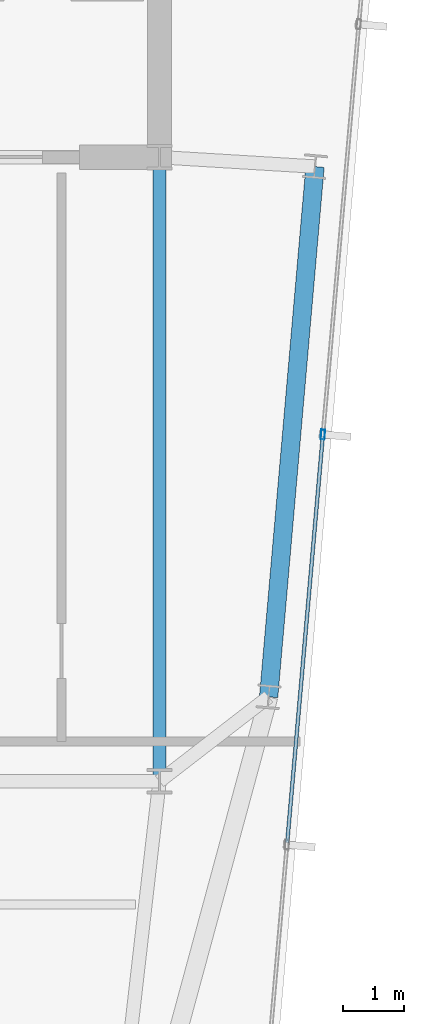
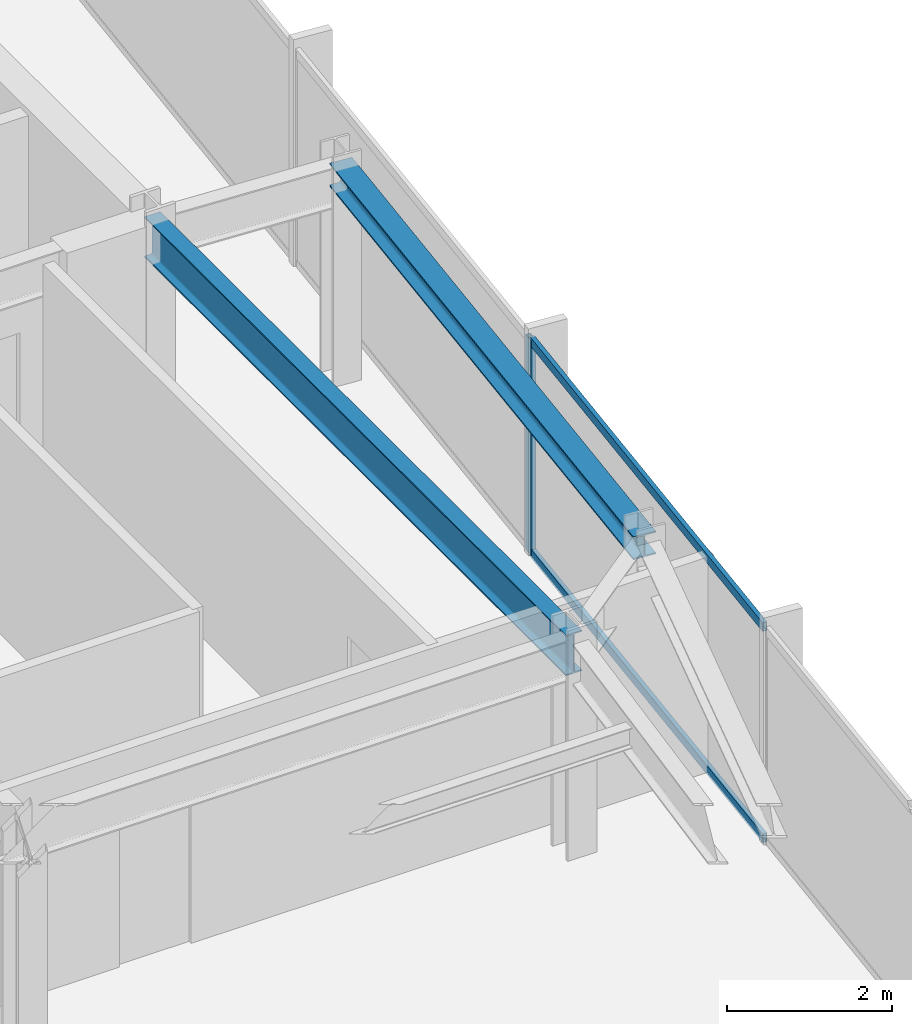
# One storey, part 17 of 32: 3 members, 2 beams, 1 element without a shape of its own.
"""IFC4 building model written with IfcOpenShell, lengths in metres."""

from ifc_helpers import new_model, si_unit, direction, frame, origin, origin_2d, place, context, subcontext, project, spatial, hollow_rectangle, i_section, extrude, material, material_profile, profile_set, type_object, element, aggregate, save


model = new_model("IFC4")

# Units and contexts
model_context = context("Model", 3, precision=1e-05, world=origin(), true_north=direction((0.0, 1.0)))
body_context = subcontext(model_context, "Body", "Model", "MODEL_VIEW")
ifc_project = project(units=[si_unit("LENGTHUNIT", "METRE"), si_unit("AREAUNIT", "SQUARE_METRE"), si_unit("VOLUMEUNIT", "CUBIC_METRE"), si_unit("PLANEANGLEUNIT", "RADIAN"), si_unit("MASSUNIT", "GRAM", prefix="KILO")], contexts=[model_context])

# Site, building, storey
site_placement = place(None, origin())
site = spatial("IfcSite", under=ifc_project, at=site_placement, CompositionType="ELEMENT")
building_placement = place(site_placement, origin())
building = spatial("IfcBuilding", under=site, at=building_placement, Name="Yelkora Congress Tower", CompositionType="ELEMENT")
storey_placement = place(building_placement, frame((0.0, 0.0, 262.5)))
storey = spatial("IfcBuildingStorey", under=building, at=storey_placement, Name="L73", CompositionType="ELEMENT", Elevation=262.5)

# Beams
ifc_material_1 = material(Name="Steel S355J2", Category="steel")
ifc_material_profile_1 = material_profile(ifc_material_1, i_section(OverallWidth=0.219970703125, OverallDepth=0.60009765625, WebThickness=0.011962890625, FlangeThickness=0.01904296875, FilletRadius=0.02392578125, at=origin_2d()), Name="IPE 600")
ifc_profile_set_1 = profile_set([ifc_material_profile_1], Name="Steel S355J2")
beam_type_1 = type_object("IfcBeamType", Name="BM-GIRD-IPE600", PredefinedType="BEAM", material=ifc_profile_set_1)
beam_1_placement = place(storey_placement, frame((53.760009765625, 25.199951171875, 2.8798828125), z_axis=(0.0, 1.0, 0.0), x_axis=(-1.0, 0.0, 0.0)))
element("IfcBeam", 1, at=beam_1_placement, inside=storey, type_object=beam_type_1, Name="L73 Core Tie Girder MC-D5", PredefinedType="BEAM", context=body_context, shape_type="SweptSolid", body=[
    extrude(i_section(OverallWidth=0.219970703125, OverallDepth=0.60009765625, WebThickness=0.011962890625, FlangeThickness=0.01904296875, FilletRadius=0.02392578125, at=origin_2d()), origin(), (0.0, 0.0, 1.0), 10.199951171875),
])
ifc_material_profile_2 = material_profile(ifc_material_1, i_section(OverallWidth=0.300048828125, OverallDepth=0.340087890625, WebThickness=0.011962890625, FlangeThickness=0.021484375, FilletRadius=0.027099609375, at=origin_2d()), Name="HEB 340")
ifc_profile_set_2 = profile_set([ifc_material_profile_2], Name="Steel S355J2")
beam_type_2 = type_object("IfcBeamType", Name="BM-SPAN-HEB340", PredefinedType="SPANDREL", material=ifc_profile_set_2)
beam_2_placement = place(storey_placement, frame((55.543701171875, 26.57861328125, 3.010009765625), z_axis=(0.08715998813, 0.99619432666, 0.0), x_axis=(-0.99619432666, 0.08715998813, 0.0)))
element("IfcBeam", 2, at=beam_2_placement, inside=storey, type_object=beam_type_2, Name="L73 Perimeter Beam 8", PredefinedType="SPANDREL", context=body_context, shape_type="SweptSolid", body=[
    extrude(i_section(OverallWidth=0.300048828125, OverallDepth=0.340087890625, WebThickness=0.011962890625, FlangeThickness=0.021484375, FilletRadius=0.027099609375, at=origin_2d()), origin(), (0.0, 0.0, 1.0), 8.7001953125),
])

# Curtain wall, members
ifc_material_2 = material(Name="Anodised aluminium and insulated glass", Category="aluminium")
curtain_wall_type = type_object("IfcCurtainWallType", Name="CW-SYS-B5", PredefinedType="NOTDEFINED", material=ifc_material_2)
curtain_wall_placement = place(storey_placement, origin())
curtain_wall = element("IfcCurtainWall", 3, at=curtain_wall_placement, inside=storey, type_object=curtain_wall_type, Name="L73 Unitised Curtain Wall 15", PredefinedType="NOTDEFINED")
ifc_material_3 = material(Name="Anodised aluminium 6063-T6", Category="aluminium")
ifc_material_profile_3 = material_profile(ifc_material_3, hollow_rectangle(XDim=0.06494140625, YDim=0.159912109375, WallThickness=0.00390625, at=origin_2d()), Name="ALU 65x160x4")
ifc_profile_set_3 = profile_set([ifc_material_profile_3], Name="Anodised aluminium 6063-T6")
member_type_1 = type_object("IfcMemberType", Name="MEM-ML-B5", PredefinedType="MULLION", material=ifc_profile_set_3)
member_1_placement = place(storey_placement, frame((56.430908203125, 30.867431640625, 0.0), z_axis=(0.0, 0.0, 1.0), x_axis=(0.996194463398, -0.087158425264, 0.0)))
member_1 = element("IfcMember", 4, at=member_1_placement, type_object=member_type_1, Name="CW-B5 mullion 3", PredefinedType="MULLION", context=body_context, shape_type="SweptSolid", body=[
    extrude(hollow_rectangle(XDim=0.06494140625, YDim=0.159912109375, WallThickness=0.00390625, at=origin_2d()), origin(), (0.0, 0.0, 1.0), 3.179931640625),
])
ifc_material_profile_4 = material_profile(ifc_material_3, hollow_rectangle(XDim=0.06005859375, YDim=0.1298828125, WallThickness=0.00390625, at=origin_2d()), Name="ALU 60x130x4")
ifc_profile_set_4 = profile_set([ifc_material_profile_4], Name="Anodised aluminium 6063-T6")
member_type_2 = type_object("IfcMemberType", Name="MEM-TR-B5", PredefinedType="USERDEFINED", material=ifc_profile_set_4)
member_2_placement = place(storey_placement, frame((56.42822265625, 30.835205078125, 0.030029296875), z_axis=(-0.087179673403, -0.996192604141, 0.0), x_axis=(0.996192604141, -0.087179673403, 0.0)))
member_2 = element("IfcMember", 5, at=member_2_placement, type_object=member_type_2, Name="CW-B5 transom 3.1", ObjectType="TRANSOM", PredefinedType="USERDEFINED", context=body_context, shape_type="SweptSolid", body=[
    extrude(hollow_rectangle(XDim=0.06005859375, YDim=0.1298828125, WallThickness=0.00390625, at=origin_2d()), origin(), (0.0, 0.0, 1.0), 6.6650390625),
])
member_3_placement = place(storey_placement, frame((56.42822265625, 30.835205078125, 3.14990234375), z_axis=(-0.087179673403, -0.996192604141, 0.0), x_axis=(0.996192604141, -0.087179673403, 0.0)))
member_3 = element("IfcMember", 6, at=member_3_placement, type_object=member_type_2, Name="CW-B5 transom 3.2", ObjectType="TRANSOM", PredefinedType="USERDEFINED", context=body_context, shape_type="SweptSolid", body=[
    extrude(hollow_rectangle(XDim=0.06005859375, YDim=0.1298828125, WallThickness=0.00390625, at=origin_2d()), origin(), (0.0, 0.0, 1.0), 6.6650390625),
])
aggregate(curtain_wall, [member_1, member_2, member_3])

save(model, "model.ifc")
